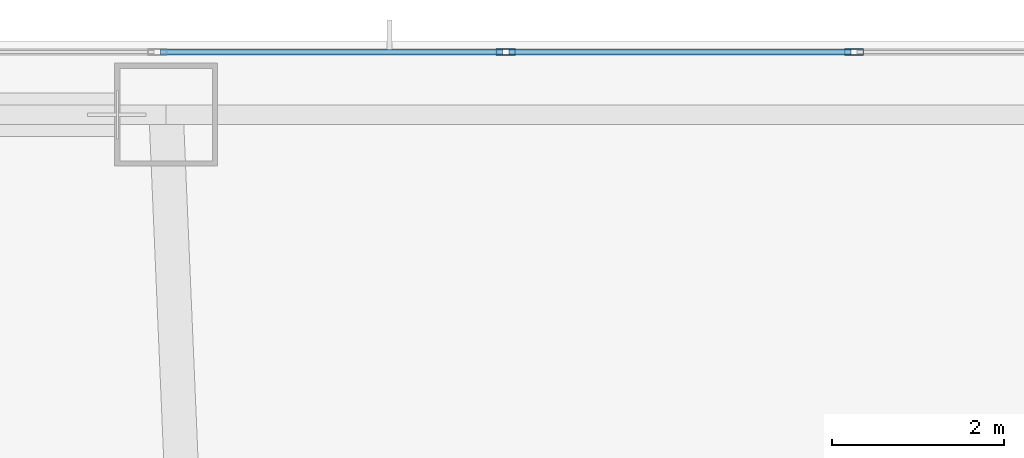
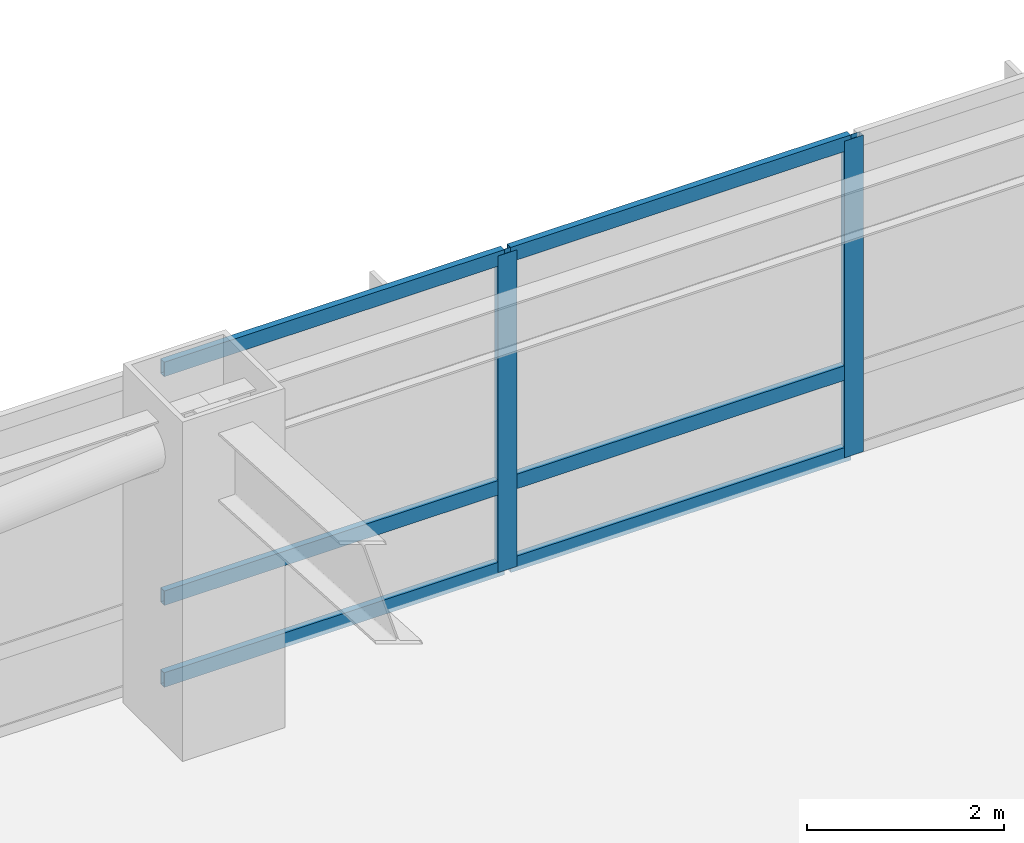
# One storey, part 11 of 32: 8 members, 1 element without a shape of its own.
"""IFC4 building model written with IfcOpenShell, lengths in metres."""

from ifc_helpers import new_model, si_unit, direction, frame, origin, origin_2d, place, context, subcontext, project, spatial, hollow_rectangle, extrude, material, material_profile, profile_set, type_object, element, aggregate, save


model = new_model("IFC4")

# Units and contexts
model_context = context("Model", 3, precision=1e-05, world=origin(), true_north=direction((0.0, 1.0)))
body_context = subcontext(model_context, "Body", "Model", "MODEL_VIEW")
ifc_project = project(units=[si_unit("LENGTHUNIT", "METRE"), si_unit("AREAUNIT", "SQUARE_METRE"), si_unit("VOLUMEUNIT", "CUBIC_METRE"), si_unit("PLANEANGLEUNIT", "RADIAN"), si_unit("MASSUNIT", "GRAM", prefix="KILO")], contexts=[model_context])

# Site, building, storey
site_placement = place(None, origin())
site = spatial("IfcSite", under=ifc_project, at=site_placement, CompositionType="ELEMENT")
building_placement = place(site_placement, origin())
building = spatial("IfcBuilding", under=site, at=building_placement, Name="Khamvora Tower", CompositionType="ELEMENT")
storey_placement = place(building_placement, frame((0.0, 0.0, 12.0)))
storey = spatial("IfcBuildingStorey", under=building, at=storey_placement, Name="L02", CompositionType="ELEMENT", Elevation=12.0)

# Curtain wall, members
ifc_material = material(Name="Anodised Aluminium 6063-T6", Category="aluminium")
curtain_wall_type = type_object("IfcCurtainWallType", Name="CW-SYS-01", PredefinedType="NOTDEFINED", material=ifc_material)
curtain_wall_placement = place(storey_placement, origin())
curtain_wall = element("IfcCurtainWall", 1, at=curtain_wall_placement, inside=storey, type_object=curtain_wall_type, Name="L02 stick curtain wall 07.1", PredefinedType="NOTDEFINED")
ifc_material_profile_1 = material_profile(ifc_material, hollow_rectangle(XDim=0.074951171875, YDim=0.219970703125, WallThickness=0.0048828125, at=origin_2d()), Name="MUL75x220x5")
ifc_profile_set_1 = profile_set([ifc_material_profile_1], Name="Anodised Aluminium 6063-T6")
member_type_1 = type_object("IfcMemberType", Name="CW-SYS-01-MUL", PredefinedType="MULLION", material=ifc_profile_set_1)
member_1_placement = place(storey_placement, frame((21.95361328125, 55.8798828125, 0.0), z_axis=(0.0, 0.0, 1.0), x_axis=(0.0, 1.0, 0.0)))
member_1 = element("IfcMember", 2, at=member_1_placement, type_object=member_type_1, Name="CW-01 mullion 5", PredefinedType="MULLION", context=body_context, shape_type="SweptSolid", body=[
    extrude(hollow_rectangle(XDim=0.074951171875, YDim=0.219970703125, WallThickness=0.0048828125, at=origin_2d()), origin(), (0.0, 0.0, 1.0), 3.919921875),
])
member_2_placement = place(storey_placement, frame((26.01025390625, 55.8798828125, 0.0), z_axis=(0.0, 0.0, 1.0), x_axis=(0.0, 1.0, 0.0)))
member_2 = element("IfcMember", 3, at=member_2_placement, type_object=member_type_1, Name="CW-01 mullion 6", PredefinedType="MULLION", context=body_context, shape_type="SweptSolid", body=[
    extrude(hollow_rectangle(XDim=0.074951171875, YDim=0.219970703125, WallThickness=0.0048828125, at=origin_2d()), origin(), (0.0, 0.0, 1.0), 3.919921875),
])
ifc_material_profile_2 = material_profile(ifc_material, hollow_rectangle(XDim=0.074951171875, YDim=0.179931640625, WallThickness=0.0048828125, at=origin_2d()), Name="TRN75x180x5")
ifc_profile_set_2 = profile_set([ifc_material_profile_2], Name="Anodised Aluminium 6063-T6")
member_type_2 = type_object("IfcMemberType", Name="CW-SYS-01-TRN", PredefinedType="USERDEFINED", material=ifc_profile_set_2)
member_3_placement = place(storey_placement, frame((17.934326171875, 55.8798828125, 0.03759765625), z_axis=(1.0, 0.0, 0.0), x_axis=(0.0, 1.0, 0.0)))
member_3 = element("IfcMember", 4, at=member_3_placement, type_object=member_type_2, Name="CW-01 transom 4.1", ObjectType="TRANSOM", PredefinedType="USERDEFINED", context=body_context, shape_type="SweptSolid", body=[
    extrude(hollow_rectangle(XDim=0.074951171875, YDim=0.179931640625, WallThickness=0.0048828125, at=origin_2d()), origin(), (0.0, 0.0, 1.0), 3.981689453125),
])
member_4_placement = place(storey_placement, frame((17.934326171875, 55.8798828125, 1.050048828125), z_axis=(1.0, 0.0, 0.0), x_axis=(0.0, 1.0, 0.0)))
member_4 = element("IfcMember", 5, at=member_4_placement, type_object=member_type_2, Name="CW-01 transom 4.2", ObjectType="TRANSOM", PredefinedType="USERDEFINED", context=body_context, shape_type="SweptSolid", body=[
    extrude(hollow_rectangle(XDim=0.074951171875, YDim=0.179931640625, WallThickness=0.0048828125, at=origin_2d()), origin(), (0.0, 0.0, 1.0), 3.981689453125),
])
member_5_placement = place(storey_placement, frame((17.934326171875, 55.8798828125, 3.882568359375), z_axis=(1.0, 0.0, 0.0), x_axis=(0.0, 1.0, 0.0)))
member_5 = element("IfcMember", 6, at=member_5_placement, type_object=member_type_2, Name="CW-01 transom 4.3", ObjectType="TRANSOM", PredefinedType="USERDEFINED", context=body_context, shape_type="SweptSolid", body=[
    extrude(hollow_rectangle(XDim=0.074951171875, YDim=0.179931640625, WallThickness=0.0048828125, at=origin_2d()), origin(), (0.0, 0.0, 1.0), 3.981689453125),
])
member_6_placement = place(storey_placement, frame((21.990966796875, 55.8798828125, 0.03759765625), z_axis=(1.0, 0.0, 0.0), x_axis=(0.0, 1.0, 0.0)))
member_6 = element("IfcMember", 7, at=member_6_placement, type_object=member_type_2, Name="CW-01 transom 5.1", ObjectType="TRANSOM", PredefinedType="USERDEFINED", context=body_context, shape_type="SweptSolid", body=[
    extrude(hollow_rectangle(XDim=0.074951171875, YDim=0.179931640625, WallThickness=0.0048828125, at=origin_2d()), origin(), (0.0, 0.0, 1.0), 3.981689453125),
])
member_7_placement = place(storey_placement, frame((21.990966796875, 55.8798828125, 1.050048828125), z_axis=(1.0, 0.0, 0.0), x_axis=(0.0, 1.0, 0.0)))
member_7 = element("IfcMember", 8, at=member_7_placement, type_object=member_type_2, Name="CW-01 transom 5.2", ObjectType="TRANSOM", PredefinedType="USERDEFINED", context=body_context, shape_type="SweptSolid", body=[
    extrude(hollow_rectangle(XDim=0.074951171875, YDim=0.179931640625, WallThickness=0.0048828125, at=origin_2d()), origin(), (0.0, 0.0, 1.0), 3.981689453125),
])
member_8_placement = place(storey_placement, frame((21.990966796875, 55.8798828125, 3.882568359375), z_axis=(1.0, 0.0, 0.0), x_axis=(0.0, 1.0, 0.0)))
member_8 = element("IfcMember", 9, at=member_8_placement, type_object=member_type_2, Name="CW-01 transom 5.3", ObjectType="TRANSOM", PredefinedType="USERDEFINED", context=body_context, shape_type="SweptSolid", body=[
    extrude(hollow_rectangle(XDim=0.074951171875, YDim=0.179931640625, WallThickness=0.0048828125, at=origin_2d()), origin(), (0.0, 0.0, 1.0), 3.981689453125),
])
aggregate(curtain_wall, [member_1, member_2, member_3, member_4, member_5, member_6, member_7, member_8])

save(model, "model.ifc")
